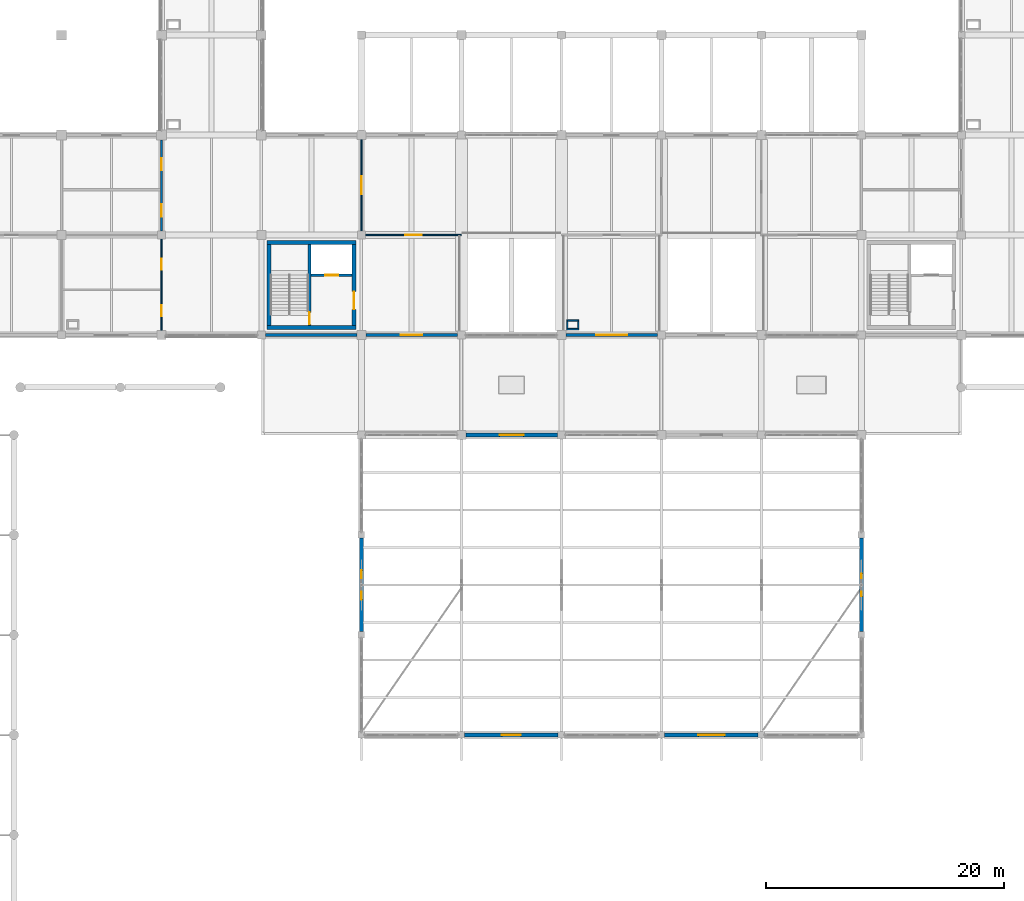
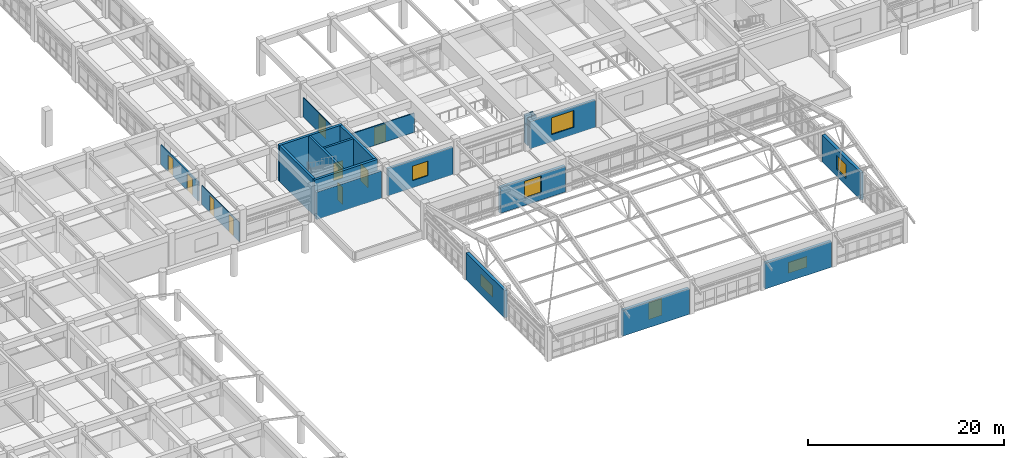
# One storey, part 83 of 99: 22 walls, 9 doors, 7 windows, 16 openings.
"""IFC4 building model written with IfcOpenShell, lengths in metres."""

from ifc_helpers import new_model, si_unit, direction, frame, frame_2d, origin, place, context, subcontext, project, spatial, rectangle, extrude, material, layer, layer_set, type_object, element, fill, save


model = new_model("IFC4")

# Units and contexts
model_context = context("Model", 3, precision=1e-05, world=origin(), true_north=direction((0.0, 1.0)))
body_context = subcontext(model_context, "Body", "Model", "MODEL_VIEW")
ifc_project = project(units=[si_unit("LENGTHUNIT", "METRE"), si_unit("AREAUNIT", "SQUARE_METRE"), si_unit("VOLUMEUNIT", "CUBIC_METRE"), si_unit("PLANEANGLEUNIT", "RADIAN"), si_unit("MASSUNIT", "GRAM", prefix="KILO")], contexts=[model_context])

# Site, building, storey
site_placement = place(None, origin())
site = spatial("IfcSite", under=ifc_project, at=site_placement, CompositionType="ELEMENT")
building_placement = place(site_placement, origin())
building = spatial("IfcBuilding", under=site, at=building_placement, Name="Porcellanite Civic Hall", CompositionType="ELEMENT")
storey_placement = place(building_placement, frame((0.0, 0.0, 5.760009765625)))
storey = spatial("IfcBuildingStorey", under=building, at=storey_placement, Name="L01", CompositionType="ELEMENT", Elevation=5.760009765625)

# Wall, opening, door
ifc_material_1 = material(Name="Concrete N40 (40 MPa)", Category="concrete")
ifc_layer_1 = layer(ifc_material_1, 0.239990234375)
ifc_layer_set_1 = layer_set([ifc_layer_1], Name="Concrete N40 (40 MPa)")
wall_type_1 = type_object("IfcWallType", Name="CW-SH240", PredefinedType="SHEAR", material=ifc_layer_set_1)
wall_1_placement = place(storey_placement, frame((62.840087890625, 51.179931640625, 0.0), z_axis=(0.0, 0.0, 1.0), x_axis=(0.0, 1.0, 0.0)))
wall_1 = element("IfcWall", 1, at=wall_1_placement, inside=storey, type_object=wall_type_1, Name="Core divider C5 L01", PredefinedType="SHEAR", context=body_context, shape_type="SweptSolid", body=[
    extrude(rectangle(XDim=6.840087890625, YDim=0.239990234375, at=frame_2d((3.419921875, 0.0))), origin(), (0.0, 0.0, 1.0), 4.5),
])
opening_1_placement = place(wall_1_placement, frame((0.1201171875, 0.0, 0.0)))
opening_1 = element("IfcOpeningElement", 2, at=opening_1_placement, cuts=wall_1, Name="Opening FD-C5-L01-ST", PredefinedType="OPENING", context=body_context, shape_type="SweptSolid", body=[
    extrude(rectangle(XDim=1.0, YDim=2.14990234375, at=frame_2d((0.5, 1.074951171875))), frame((0.0, 0.1201171875, 0.0), z_axis=(0.0, -1.0, 0.0), x_axis=(1.0, 0.0, 0.0)), (0.0, 0.0, 1.0), 0.239990234375),
])
ifc_material_2 = material(Name="Fire-rated solid-core hardwood timber", Category="wood")
door_type_1 = type_object("IfcDoorType", Name="DR-FD100", OperationType="NOTDEFINED", PredefinedType="DOOR", material=ifc_material_2)
door_1_placement = place(opening_1_placement, origin())
door_1 = element("IfcDoor", 3, at=door_1_placement, inside=storey, type_object=door_type_1, Name="Fire stair door FD-C5-L01-ST", OperationType="SINGLE_SWING_RIGHT", OverallHeight=2.14990234375, OverallWidth=1.0, PredefinedType="DOOR", context=body_context, shape_type="SweptSolid", body=[
    extrude(rectangle(XDim=1.0, YDim=2.14990234375, at=frame_2d((0.5, 1.074951171875))), frame((0.0, 0.02490234375, 0.0), z_axis=(0.0, -1.0, 0.0), x_axis=(1.0, 0.0, 0.0)), (0.0, 0.0, 1.0), 0.050048828125),
])
fill(opening_1, door_1)

wall_2_placement = place(storey_placement, frame((62.9599609375, 55.419921875, 0.0), z_axis=(0.0, 0.0, 1.0), x_axis=(1.0, 0.0, 0.0)))
wall_2 = element("IfcWall", 4, at=wall_2_placement, inside=storey, type_object=wall_type_1, Name="Lift shaft wall C5 L01", PredefinedType="SHEAR", context=body_context, shape_type="SweptSolid", body=[
    extrude(rectangle(XDim=3.4599609375, YDim=0.239990234375, at=frame_2d((1.72998046875, 0.0))), origin(), (0.0, 0.0, 1.0), 4.5),
])
opening_2_placement = place(wall_2_placement, frame((1.179931640625, 0.0, 0.0)))
opening_2 = element("IfcOpeningElement", 5, at=opening_2_placement, cuts=wall_2, Name="Opening LD-05", PredefinedType="OPENING", context=body_context, shape_type="SweptSolid", body=[
    extrude(rectangle(XDim=1.10009765625, YDim=2.14990234375, at=frame_2d((0.550048828125, 1.074951171875))), frame((0.0, 0.1201171875, 0.0), z_axis=(0.0, -1.0, 0.0), x_axis=(1.0, 0.0, 0.0)), (0.0, 0.0, 1.0), 0.239990234375),
])
ifc_material_3 = material(Name="Brushed stainless steel 316", Category="steel")
door_type_2 = type_object("IfcDoorType", Name="DR-LD110", OperationType="DOUBLE_DOOR_SLIDING", PredefinedType="DOOR", material=ifc_material_3)
door_2_placement = place(opening_2_placement, origin())
door_2 = element("IfcDoor", 6, at=door_2_placement, inside=storey, type_object=door_type_2, Name="Lift landing sliding door LD-05 L01", OperationType="DOUBLE_DOOR_SLIDING", OverallHeight=2.14990234375, OverallWidth=1.10009765625, PredefinedType="DOOR", context=body_context, shape_type="SweptSolid", body=[
    extrude(rectangle(XDim=1.10009765625, YDim=2.14990234375, at=frame_2d((0.550048828125, 1.074951171875))), frame((0.0, 0.02490234375, 0.0), z_axis=(0.0, -1.0, 0.0), x_axis=(1.0, 0.0, 0.0)), (0.0, 0.0, 1.0), 0.050048828125),
])
fill(opening_2, door_2)

# Walls
ifc_material_4 = material(Name="Concrete N40 (40 MPa)", Category="concrete")
ifc_layer_2 = layer(ifc_material_4, 0.300048828125)
ifc_layer_set_2 = layer_set([ifc_layer_2], Name="Concrete N40 (40 MPa)")
wall_type_2 = type_object("IfcWallType", Name="CW-SH300", PredefinedType="SHEAR", material=ifc_layer_set_2)
wall_3_placement = place(storey_placement, frame((66.719970703125, 51.030029296875, 0.0), z_axis=(0.0, 0.0, 1.0), x_axis=(-1.0, 0.0, 0.0)))
element("IfcWall", 7, at=wall_3_placement, inside=storey, type_object=wall_type_2, Name="Core wall C5 L01 S", PredefinedType="SHEAR", context=body_context, shape_type="SweptSolid", body=[
    extrude(rectangle(XDim=7.43994140625, YDim=0.300048828125, at=frame_2d((3.719970703125, 0.0))), origin(), (0.0, 0.0, 1.0), 4.5),
])
wall_4_placement = place(storey_placement, frame((59.429931640625, 51.179931640625, 0.0), z_axis=(0.0, 0.0, 1.0), x_axis=(0.0, 1.0, 0.0)))
element("IfcWall", 8, at=wall_4_placement, inside=storey, type_object=wall_type_2, Name="Core wall C5 L01 W", PredefinedType="SHEAR", context=body_context, shape_type="SweptSolid", body=[
    extrude(rectangle(XDim=6.840087890625, YDim=0.300048828125, at=frame_2d((3.419921875, 0.0))), origin(), (0.0, 0.0, 1.0), 4.5),
])
wall_5_placement = place(storey_placement, frame((59.280029296875, 58.169921875, 0.0), z_axis=(0.0, 0.0, 1.0), x_axis=(1.0, 0.0, 0.0)))
element("IfcWall", 9, at=wall_5_placement, inside=storey, type_object=wall_type_2, Name="Core wall C5 L01 N", PredefinedType="SHEAR", context=body_context, shape_type="SweptSolid", body=[
    extrude(rectangle(XDim=7.43994140625, YDim=0.300048828125, at=frame_2d((3.719970703125, 0.0))), origin(), (0.0, 0.0, 1.0), 4.5),
])

# Wall, opening, door
wall_6_placement = place(storey_placement, frame((66.570068359375, 58.02001953125, 0.0), z_axis=(0.0, 0.0, 1.0), x_axis=(0.0, -1.0, 0.0)))
wall_6 = element("IfcWall", 10, at=wall_6_placement, inside=storey, type_object=wall_type_2, Name="Core wall C5 L01 E", PredefinedType="SHEAR", context=body_context, shape_type="SweptSolid", body=[
    extrude(rectangle(XDim=6.840087890625, YDim=0.300048828125, at=frame_2d((3.419921875, 0.0))), origin(), (0.0, 0.0, 1.0), 4.5),
])
opening_3_placement = place(wall_6_placement, frame((3.969970703125, 0.0, 0.0)))
opening_3 = element("IfcOpeningElement", 11, at=opening_3_placement, cuts=wall_6, Name="Opening FD-C5-L01-LB", PredefinedType="OPENING", context=body_context, shape_type="SweptSolid", body=[
    extrude(rectangle(XDim=1.5, YDim=2.14990234375, at=frame_2d((0.75, 1.074951171875))), frame((0.0, 0.14990234375, 0.0), z_axis=(0.0, -1.0, 0.0), x_axis=(1.0, 0.0, 0.0)), (0.0, 0.0, 1.0), 0.300048828125),
])
ifc_material_5 = material(Name="Fire-rated steel and Georgian wired glass", Category="steel")
door_type_3 = type_object("IfcDoorType", Name="DR-FD150", OperationType="DOUBLE_DOOR_SINGLE_SWING", PredefinedType="DOOR", material=ifc_material_5)
door_3_placement = place(opening_3_placement, origin())
door_3 = element("IfcDoor", 12, at=door_3_placement, inside=storey, type_object=door_type_3, Name="Fire lobby double door FD-C5-L01-LB", OperationType="DOUBLE_DOOR_SINGLE_SWING", OverallHeight=2.14990234375, OverallWidth=1.5, PredefinedType="DOOR", context=body_context, shape_type="SweptSolid", body=[
    extrude(rectangle(XDim=1.5, YDim=2.14990234375, at=frame_2d((0.75, 1.074951171875))), frame((0.0, 0.02490234375, 0.0), z_axis=(0.0, -1.0, 0.0), x_axis=(1.0, 0.0, 0.0)), (0.0, 0.0, 1.0), 0.050048828125),
])
fill(opening_3, door_3)

# Wall
ifc_material_6 = material(Name="Precast concrete N40 (40 MPa)", Category="concrete")
ifc_layer_3 = layer(ifc_material_6, 0.280029296875)
ifc_layer_set_3 = layer_set([ifc_layer_3], Name="Precast concrete N40 (40 MPa)")
wall_type_3 = type_object("IfcWallType", Name="EW-CLO280", PredefinedType="SOLIDWALL", material=ifc_layer_set_3)
wall_7_placement = place(storey_placement, frame((66.823974609375, 50.39990234375, 0.0), z_axis=(0.0, 0.0, 1.0), x_axis=(-1.0, 0.0, 0.0)))
element("IfcWall", 13, at=wall_7_placement, inside=storey, type_object=wall_type_3, Name="Exterior wall L01 S 8-7", PredefinedType="SOLIDWALL", context=body_context, shape_type="SweptSolid", body=[
    extrude(rectangle(XDim=7.673095703125, YDim=0.280029296875, at=frame_2d((3.83642578125, 0.0))), origin(), (0.0, 0.0, 1.0), 3.39990234375),
])

# Wall, opening, window
wall_8_placement = place(storey_placement, frame((75.2490234375, 50.39990234375, 0.0), z_axis=(0.0, 0.0, 1.0), x_axis=(-1.0, 0.0, 0.0)))
wall_8 = element("IfcWall", 14, at=wall_8_placement, inside=storey, type_object=wall_type_3, Name="Exterior wall L01 S 9-7", PredefinedType="SOLIDWALL", context=body_context, shape_type="SweptSolid", body=[
    extrude(rectangle(XDim=7.673095703125, YDim=0.280029296875, at=frame_2d((3.83642578125, 0.0))), origin(), (0.0, 0.0, 1.0), 3.39990234375),
])
opening_4_placement = place(wall_8_placement, frame((2.93701171875, 0.0, 0.89990234375)))
opening_4 = element("IfcOpeningElement", 15, at=opening_4_placement, cuts=wall_8, Name="Opening W01", PredefinedType="OPENING", context=body_context, shape_type="SweptSolid", body=[
    extrude(rectangle(XDim=1.800048828125, YDim=1.800048828125, at=frame_2d((0.89990234375, 0.89990234375))), frame((0.0, 0.14013671875, 0.0), z_axis=(0.0, -1.0, 0.0), x_axis=(1.0, 0.0, 0.0)), (0.0, 0.0, 1.0), 0.280029296875),
])
ifc_material_7 = material(Name="Cyclone laminated low-E glazing in anodised aluminium frame", Category="aluminium")
window_type_1 = type_object("IfcWindowType", Name="WN-01", PartitioningType="DOUBLE_PANEL_VERTICAL", PredefinedType="WINDOW", material=ifc_material_7)
window_1_placement = place(opening_4_placement, origin())
window_1 = element("IfcWindow", 16, at=window_1_placement, inside=storey, type_object=window_type_1, Name="Window W01 L01 S 9-7", OverallHeight=1.800048828125, OverallWidth=1.800048828125, PartitioningType="SINGLE_PANEL", PredefinedType="WINDOW", context=body_context, shape_type="SweptSolid", body=[
    extrude(rectangle(XDim=1.800048828125, YDim=1.800048828125, at=frame_2d((0.89990234375, 0.89990234375))), frame((0.0, 0.030029296875, 0.0), z_axis=(0.0, -1.0, 0.0), x_axis=(1.0, 0.0, 0.0)), (0.0, 0.0, 1.0), 0.06005859375),
])
fill(opening_4, window_1)

wall_9_placement = place(storey_placement, frame((92.049072265625, 50.39990234375, 0.0), z_axis=(0.0, 0.0, 1.0), x_axis=(-1.0, 0.0, 0.0)))
wall_9 = element("IfcWall", 17, at=wall_9_placement, inside=storey, type_object=wall_type_3, Name="Exterior wall L01 S 11-7", PredefinedType="SOLIDWALL", context=body_context, shape_type="SweptSolid", body=[
    extrude(rectangle(XDim=7.673095703125, YDim=0.280029296875, at=frame_2d((3.83642578125, 0.0))), origin(), (0.0, 0.0, 1.0), 3.39990234375),
])
opening_5_placement = place(wall_9_placement, frame((2.537109375, 0.0, 0.89990234375)))
opening_5 = element("IfcOpeningElement", 18, at=opening_5_placement, cuts=wall_9, Name="Opening W07", PredefinedType="OPENING", context=body_context, shape_type="SweptSolid", body=[
    extrude(rectangle(XDim=2.60009765625, YDim=2.10009765625, at=frame_2d((1.300048828125, 1.050048828125))), frame((0.0, 0.14013671875, 0.0), z_axis=(0.0, -1.0, 0.0), x_axis=(1.0, 0.0, 0.0)), (0.0, 0.0, 1.0), 0.280029296875),
])
ifc_material_8 = material(Name="Cyclone laminated low-E glazing in anodised aluminium frame", Category="aluminium")
window_type_2 = type_object("IfcWindowType", Name="WN-07", PartitioningType="TRIPLE_PANEL_VERTICAL", PredefinedType="WINDOW", material=ifc_material_8)
window_2_placement = place(opening_5_placement, origin())
window_2 = element("IfcWindow", 19, at=window_2_placement, inside=storey, type_object=window_type_2, Name="Window W07 L01 S 11-7", OverallHeight=2.10009765625, OverallWidth=2.60009765625, PartitioningType="SINGLE_PANEL", PredefinedType="WINDOW", context=body_context, shape_type="SweptSolid", body=[
    extrude(rectangle(XDim=2.60009765625, YDim=2.10009765625, at=frame_2d((1.300048828125, 1.050048828125))), frame((0.0, 0.030029296875, 0.0), z_axis=(0.0, -1.0, 0.0), x_axis=(1.0, 0.0, 0.0)), (0.0, 0.0, 1.0), 0.06005859375),
])
fill(opening_5, window_2)

ifc_material_9 = material(Name="Precast concrete N40 (40 MPa)", Category="concrete")
ifc_layer_4 = layer(ifc_material_9, 0.340087890625)
ifc_layer_set_4 = layer_set([ifc_layer_4], Name="Precast concrete N40 (40 MPa)")
wall_type_4 = type_object("IfcWallType", Name="EW-HALL340", PredefinedType="SOLIDWALL", material=ifc_layer_set_4)
wall_10_placement = place(storey_placement, frame((67.199951171875, 25.47607421875, 0.0), z_axis=(0.0, 0.0, 1.0), x_axis=(0.0, 1.0, 0.0)))
wall_10 = element("IfcWall", 20, at=wall_10_placement, inside=storey, type_object=wall_type_4, Name="Exterior wall L01 W 9-4", PredefinedType="SOLIDWALL", context=body_context, shape_type="SweptSolid", body=[
    extrude(rectangle(XDim=7.847900390625, YDim=0.340087890625, at=frame_2d((3.923828125, 0.0))), origin(), (0.0, 0.0, 1.0), 3.39990234375),
])
opening_6_placement = place(wall_10_placement, frame((2.698974609375, 0.0, 0.89990234375)))
opening_6 = element("IfcOpeningElement", 21, at=opening_6_placement, cuts=wall_10, Name="Opening W40", PredefinedType="OPENING", context=body_context, shape_type="SweptSolid", body=[
    extrude(rectangle(XDim=2.449951171875, YDim=1.449951171875, at=frame_2d((1.22509765625, 0.72509765625))), frame((0.0, 0.169921875, 0.0), z_axis=(0.0, -1.0, 0.0), x_axis=(1.0, 0.0, 0.0)), (0.0, 0.0, 1.0), 0.340087890625),
])
ifc_material_10 = material(Name="Cyclone laminated low-E glazing in anodised aluminium frame", Category="aluminium")
window_type_3 = type_object("IfcWindowType", Name="WN-40", PartitioningType="DOUBLE_PANEL_VERTICAL", PredefinedType="WINDOW", material=ifc_material_10)
window_3_placement = place(opening_6_placement, origin())
window_3 = element("IfcWindow", 22, at=window_3_placement, inside=storey, type_object=window_type_3, Name="Window W40 L01 W 9-4", OverallHeight=1.449951171875, OverallWidth=2.449951171875, PartitioningType="SINGLE_PANEL", PredefinedType="WINDOW", context=body_context, shape_type="SweptSolid", body=[
    extrude(rectangle(XDim=2.449951171875, YDim=1.449951171875, at=frame_2d((1.22509765625, 0.72509765625))), frame((0.0, 0.030029296875, 0.0), z_axis=(0.0, -1.0, 0.0), x_axis=(1.0, 0.0, 0.0)), (0.0, 0.0, 1.0), 0.06005859375),
])
fill(opening_6, window_3)

wall_11_placement = place(storey_placement, frame((83.72412109375, 16.800048828125, 0.0), z_axis=(0.0, 0.0, 1.0), x_axis=(-1.0, 0.0, 0.0)))
wall_11 = element("IfcWall", 23, at=wall_11_placement, inside=storey, type_object=wall_type_4, Name="Exterior wall L01 S 10-3", PredefinedType="SOLIDWALL", context=body_context, shape_type="SweptSolid", body=[
    extrude(rectangle(XDim=7.84814453125, YDim=0.340087890625, at=frame_2d((3.924072265625, 0.0))), origin(), (0.0, 0.0, 1.0), 3.22998046875),
])
opening_7_placement = place(wall_11_placement, frame((3.1240234375, 0.0, 0.89990234375)))
opening_7 = element("IfcOpeningElement", 24, at=opening_7_placement, cuts=wall_11, Name="Opening W05", PredefinedType="OPENING", context=body_context, shape_type="SweptSolid", body=[
    extrude(rectangle(XDim=1.60009765625, YDim=2.10009765625, at=frame_2d((0.800048828125, 1.050048828125))), frame((0.0, 0.169921875, 0.0), z_axis=(0.0, -1.0, 0.0), x_axis=(1.0, 0.0, 0.0)), (0.0, 0.0, 1.0), 0.340087890625),
])
ifc_material_11 = material(Name="Cyclone laminated low-E glazing in anodised aluminium frame", Category="aluminium")
window_type_4 = type_object("IfcWindowType", Name="WN-05", PartitioningType="DOUBLE_PANEL_VERTICAL", PredefinedType="WINDOW", material=ifc_material_11)
window_4_placement = place(opening_7_placement, origin())
window_4 = element("IfcWindow", 25, at=window_4_placement, inside=storey, type_object=window_type_4, Name="Window W05 L01 S 10-3", OverallHeight=2.10009765625, OverallWidth=1.60009765625, PartitioningType="SINGLE_PANEL", PredefinedType="WINDOW", context=body_context, shape_type="SweptSolid", body=[
    extrude(rectangle(XDim=1.60009765625, YDim=2.10009765625, at=frame_2d((0.800048828125, 1.050048828125))), frame((0.0, 0.030029296875, 0.0), z_axis=(0.0, -1.0, 0.0), x_axis=(1.0, 0.0, 0.0)), (0.0, 0.0, 1.0), 0.06005859375),
])
fill(opening_7, window_4)

wall_12_placement = place(storey_placement, frame((75.97607421875, 42.0, 0.0), z_axis=(0.0, 0.0, 1.0), x_axis=(1.0, 0.0, 0.0)))
wall_12 = element("IfcWall", 26, at=wall_12_placement, inside=storey, type_object=wall_type_4, Name="Exterior wall L01 N 10-5", PredefinedType="SOLIDWALL", context=body_context, shape_type="SweptSolid", body=[
    extrude(rectangle(XDim=7.6728515625, YDim=0.340087890625, at=frame_2d((3.83642578125, 0.0))), origin(), (0.0, 0.0, 1.0), 3.22998046875),
])
opening_8_placement = place(wall_12_placement, frame((2.8369140625, 0.0, 0.89990234375)))
opening_8 = element("IfcOpeningElement", 27, at=opening_8_placement, cuts=wall_12, Name="Opening W06", PredefinedType="OPENING", context=body_context, shape_type="SweptSolid", body=[
    extrude(rectangle(XDim=2.0, YDim=2.10009765625, at=frame_2d((1.0, 1.050048828125))), frame((0.0, 0.169921875, 0.0), z_axis=(0.0, -1.0, 0.0), x_axis=(1.0, 0.0, 0.0)), (0.0, 0.0, 1.0), 0.340087890625),
])
ifc_material_12 = material(Name="Cyclone laminated low-E glazing in anodised aluminium frame", Category="aluminium")
window_type_5 = type_object("IfcWindowType", Name="WN-06", PartitioningType="DOUBLE_PANEL_VERTICAL", PredefinedType="WINDOW", material=ifc_material_12)
window_5_placement = place(opening_8_placement, origin())
window_5 = element("IfcWindow", 28, at=window_5_placement, inside=storey, type_object=window_type_5, Name="Window W06 L01 N 10-5", OverallHeight=2.10009765625, OverallWidth=2.0, PartitioningType="SINGLE_PANEL", PredefinedType="WINDOW", context=body_context, shape_type="SweptSolid", body=[
    extrude(rectangle(XDim=2.0, YDim=2.10009765625, at=frame_2d((1.0, 1.050048828125))), frame((0.0, 0.030029296875, 0.0), z_axis=(0.0, -1.0, 0.0), x_axis=(1.0, 0.0, 0.0)), (0.0, 0.0, 1.0), 0.06005859375),
])
fill(opening_8, window_5)

wall_13_placement = place(storey_placement, frame((100.52392578125, 16.800048828125, 0.0), z_axis=(0.0, 0.0, 1.0), x_axis=(-1.0, 0.0, 0.0)))
wall_13 = element("IfcWall", 29, at=wall_13_placement, inside=storey, type_object=wall_type_4, Name="Exterior wall L01 S 12-3", PredefinedType="SOLIDWALL", context=body_context, shape_type="SweptSolid", body=[
    extrude(rectangle(XDim=7.847900390625, YDim=0.340087890625, at=frame_2d((3.923828125, 0.0))), origin(), (0.0, 0.0, 1.0), 3.22998046875),
])
opening_9_placement = place(wall_13_placement, frame((2.823974609375, 0.0, 0.89990234375)))
opening_9 = element("IfcOpeningElement", 30, at=opening_9_placement, cuts=wall_13, Name="Opening W11", PredefinedType="OPENING", context=body_context, shape_type="SweptSolid", body=[
    extrude(rectangle(XDim=2.199951171875, YDim=1.35009765625, at=frame_2d((1.10009765625, 0.675048828125))), frame((0.0, 0.169921875, 0.0), z_axis=(0.0, -1.0, 0.0), x_axis=(1.0, 0.0, 0.0)), (0.0, 0.0, 1.0), 0.340087890625),
])
ifc_material_13 = material(Name="Cyclone laminated low-E glazing in anodised aluminium frame", Category="aluminium")
window_type_6 = type_object("IfcWindowType", Name="WN-11", PartitioningType="DOUBLE_PANEL_HORIZONTAL", PredefinedType="WINDOW", material=ifc_material_13)
window_6_placement = place(opening_9_placement, origin())
window_6 = element("IfcWindow", 31, at=window_6_placement, inside=storey, type_object=window_type_6, Name="Window W11 L01 S 12-3", OverallHeight=1.35009765625, OverallWidth=2.199951171875, PartitioningType="SINGLE_PANEL", PredefinedType="WINDOW", context=body_context, shape_type="SweptSolid", body=[
    extrude(rectangle(XDim=2.199951171875, YDim=1.35009765625, at=frame_2d((1.10009765625, 0.675048828125))), frame((0.0, 0.030029296875, 0.0), z_axis=(0.0, -1.0, 0.0), x_axis=(1.0, 0.0, 0.0)), (0.0, 0.0, 1.0), 0.06005859375),
])
fill(opening_9, window_6)

wall_14_placement = place(storey_placement, frame((109.199951171875, 33.323974609375, 0.0), z_axis=(0.0, 0.0, 1.0), x_axis=(0.0, -1.0, 0.0)))
wall_14 = element("IfcWall", 32, at=wall_14_placement, inside=storey, type_object=wall_type_4, Name="Exterior wall L01 E 13-4", PredefinedType="SOLIDWALL", context=body_context, shape_type="SweptSolid", body=[
    extrude(rectangle(XDim=7.847900390625, YDim=0.340087890625, at=frame_2d((3.923828125, 0.0))), origin(), (0.0, 0.0, 1.0), 3.39990234375),
])
opening_10_placement = place(wall_14_placement, frame((2.97412109375, 0.0, 0.89990234375)))
opening_10 = element("IfcOpeningElement", 33, at=opening_10_placement, cuts=wall_14, Name="Opening W15", PredefinedType="OPENING", context=body_context, shape_type="SweptSolid", body=[
    extrude(rectangle(XDim=1.89990234375, YDim=1.75, at=frame_2d((0.949951171875, 0.875))), frame((0.0, 0.169921875, 0.0), z_axis=(0.0, -1.0, 0.0), x_axis=(1.0, 0.0, 0.0)), (0.0, 0.0, 1.0), 0.340087890625),
])
ifc_material_14 = material(Name="Cyclone laminated low-E glazing in anodised aluminium frame", Category="aluminium")
window_type_7 = type_object("IfcWindowType", Name="WN-15", PartitioningType="DOUBLE_PANEL_VERTICAL", PredefinedType="WINDOW", material=ifc_material_14)
window_7_placement = place(opening_10_placement, origin())
window_7 = element("IfcWindow", 34, at=window_7_placement, inside=storey, type_object=window_type_7, Name="Window W15 L01 E 13-4", OverallHeight=1.75, OverallWidth=1.89990234375, PartitioningType="SINGLE_PANEL", PredefinedType="WINDOW", context=body_context, shape_type="SweptSolid", body=[
    extrude(rectangle(XDim=1.89990234375, YDim=1.75, at=frame_2d((0.949951171875, 0.875))), frame((0.0, 0.030029296875, 0.0), z_axis=(0.0, -1.0, 0.0), x_axis=(1.0, 0.0, 0.0)), (0.0, 0.0, 1.0), 0.06005859375),
])
fill(opening_10, window_7)

# Walls
ifc_material_15 = material(Name="Fire-rated shaftwall plasterboard on steel studs", Category="steel")
ifc_layer_5 = layer(ifc_material_15, 0.117919921875)
ifc_layer_set_5 = layer_set([ifc_layer_5], Name="Fire-rated shaftwall plasterboard on steel studs")
wall_type_5 = type_object("IfcWallType", Name="IW-FR118", PredefinedType="PARTITIONING", material=ifc_layer_set_5)
for number, where, z_axis, x_axis, name in (
    (35, (84.431884765625, 50.89111328125, 0.0), (0.0, 0.0, 1.0), (1.0, 0.0, 0.0), "Fire riser shaftwall S L01 10-6"),
    (36, (84.431884765625, 51.60888671875, 0.0), (0.0, 0.0, 1.0), (1.0, 0.0, 0.0), "Fire riser shaftwall N L01 10-6"),
):
    element("IfcWall", number, at=place(storey_placement, frame(where, z_axis=z_axis, x_axis=x_axis)), inside=storey, type_object=wall_type_5, Name=name, PredefinedType="PARTITIONING", context=body_context, shape_type="SweptSolid", body=[
        extrude(rectangle(XDim=1.0361328125, YDim=0.117919921875, at=frame_2d((0.51806640625, 0.0))), origin(), (0.0, 0.0, 1.0), 3.47998046875),
    ])
wall_15_placement = place(storey_placement, frame((84.490966796875, 50.949951171875, 0.0), z_axis=(0.0, 0.0, 1.0), x_axis=(0.0, 1.0, 0.0)))
element("IfcWall", 37, at=wall_15_placement, inside=storey, type_object=wall_type_5, Name="Fire riser shaftwall W L01 10-6", PredefinedType="PARTITIONING", context=body_context, shape_type="SweptSolid", body=[
    extrude(rectangle(XDim=0.60009765625, YDim=0.117919921875, at=frame_2d((0.300048828125, 0.0))), origin(), (0.0, 0.0, 1.0), 2.39990234375),
])
wall_16_placement = place(storey_placement, frame((85.408935546875, 50.949951171875, 0.0), z_axis=(0.0, 0.0, 1.0), x_axis=(0.0, 1.0, 0.0)))
element("IfcWall", 38, at=wall_16_placement, inside=storey, type_object=wall_type_5, Name="Fire riser shaftwall E L01 10-6", PredefinedType="PARTITIONING", context=body_context, shape_type="SweptSolid", body=[
    extrude(rectangle(XDim=0.60009765625, YDim=0.117919921875, at=frame_2d((0.300048828125, 0.0))), origin(), (0.0, 0.0, 1.0), 3.47998046875),
])

# Wall, openings, doors
ifc_material_16 = material(Name="Insulated acoustic plasterboard on light-gauge steel studs", Category="steel")
ifc_layer_6 = layer(ifc_material_16, 0.087890625)
ifc_layer_set_6 = layer_set([ifc_layer_6], Name="Insulated acoustic plasterboard on light-gauge steel studs")
wall_type_6 = type_object("IfcWallType", Name="IW-PT088", PredefinedType="PARTITIONING", material=ifc_layer_set_6)
wall_17_placement = place(storey_placement, frame((50.39990234375, 50.777099609375, 0.0), z_axis=(0.0, 0.0, 1.0), x_axis=(0.0, 1.0, 0.0)))
wall_17 = element("IfcWall", 39, at=wall_17_placement, inside=storey, type_object=wall_type_6, Name="Partition L01 V 6-7", PredefinedType="PARTITIONING", context=body_context, shape_type="SweptSolid", body=[
    extrude(rectangle(XDim=7.6708984375, YDim=0.087890625, at=frame_2d((3.83544921875, 0.0))), origin(), (0.0, 0.0, 1.0), 2.39990234375),
])
opening_11_placement = place(wall_17_placement, frame((1.193115234375, 0.0, 0.0)))
opening_11 = element("IfcOpeningElement", 40, at=opening_11_placement, cuts=wall_17, Name="Opening D-L01-176", PredefinedType="OPENING", context=body_context, shape_type="SweptSolid", body=[
    extrude(rectangle(XDim=0.93994140625, YDim=2.14990234375, at=frame_2d((0.469970703125, 1.074951171875))), frame((0.0, 0.0439453125, 0.0), z_axis=(0.0, -1.0, 0.0), x_axis=(1.0, 0.0, 0.0)), (0.0, 0.0, 1.0), 0.087890625),
])
opening_12_placement = place(wall_17_placement, frame((5.123046875, 0.0, 0.0)))
opening_12 = element("IfcOpeningElement", 41, at=opening_12_placement, cuts=wall_17, Name="Opening D-L01-177", PredefinedType="OPENING", context=body_context, shape_type="SweptSolid", body=[
    extrude(rectangle(XDim=0.919921875, YDim=2.14990234375, at=frame_2d((0.4599609375, 1.074951171875))), frame((0.0, 0.0439453125, 0.0), z_axis=(0.0, -1.0, 0.0), x_axis=(1.0, 0.0, 0.0)), (0.0, 0.0, 1.0), 0.087890625),
])
ifc_material_17 = material(Name="Solid-core spotted-gum timber", Category="wood")
door_type_4 = type_object("IfcDoorType", Name="DR-RM092", OperationType="NOTDEFINED", PredefinedType="DOOR", material=ifc_material_17)
door_4_placement = place(opening_12_placement, origin())
door_4 = element("IfcDoor", 42, at=door_4_placement, inside=storey, type_object=door_type_4, Name="Interior door D-L01-177", OperationType="SINGLE_SWING_LEFT", OverallHeight=2.14990234375, OverallWidth=0.919921875, PredefinedType="DOOR", context=body_context, shape_type="SweptSolid", body=[
    extrude(rectangle(XDim=0.919921875, YDim=2.14990234375, at=frame_2d((0.4599609375, 1.074951171875))), frame((0.0, 0.02490234375, 0.0), z_axis=(0.0, -1.0, 0.0), x_axis=(1.0, 0.0, 0.0)), (0.0, 0.0, 1.0), 0.050048828125),
])
fill(opening_12, door_4)
ifc_material_18 = material(Name="Solid-core spotted-gum timber", Category="wood")
door_type_5 = type_object("IfcDoorType", Name="DR-RM094", OperationType="NOTDEFINED", PredefinedType="DOOR", material=ifc_material_18)
door_5_placement = place(opening_11_placement, origin())
door_5 = element("IfcDoor", 43, at=door_5_placement, inside=storey, type_object=door_type_5, Name="Interior door D-L01-176", OperationType="SINGLE_SWING_RIGHT", OverallHeight=2.14990234375, OverallWidth=0.93994140625, PredefinedType="DOOR", context=body_context, shape_type="SweptSolid", body=[
    extrude(rectangle(XDim=0.93994140625, YDim=2.14990234375, at=frame_2d((0.469970703125, 1.074951171875))), frame((0.0, 0.02490234375, 0.0), z_axis=(0.0, -1.0, 0.0), x_axis=(1.0, 0.0, 0.0)), (0.0, 0.0, 1.0), 0.050048828125),
])
fill(opening_11, door_5)

# Wall, opening, door
ifc_material_19 = material(Name="Insulated acoustic plasterboard on light-gauge steel studs", Category="steel")
ifc_layer_7 = layer(ifc_material_19, 0.094970703125)
ifc_layer_set_7 = layer_set([ifc_layer_7], Name="Insulated acoustic plasterboard on light-gauge steel studs")
wall_type_7 = type_object("IfcWallType", Name="IW-PT095", PredefinedType="PARTITIONING", material=ifc_layer_set_7)
wall_18_placement = place(storey_placement, frame((67.199951171875, 59.152099609375, 0.0), z_axis=(0.0, 0.0, 1.0), x_axis=(0.0, 1.0, 0.0)))
wall_18 = element("IfcWall", 44, at=wall_18_placement, inside=storey, type_object=wall_type_7, Name="Partition L01 V 8-8", PredefinedType="PARTITIONING", context=body_context, shape_type="SweptSolid", body=[
    extrude(rectangle(XDim=7.6708984375, YDim=0.094970703125, at=frame_2d((3.83544921875, 0.0))), origin(), (0.0, 0.0, 1.0), 2.39990234375),
])
opening_13_placement = place(wall_18_placement, frame((3.0859375, 0.0, 0.0)))
opening_13 = element("IfcOpeningElement", 45, at=opening_13_placement, cuts=wall_18, Name="Opening D-L01-213", PredefinedType="OPENING", context=body_context, shape_type="SweptSolid", body=[
    extrude(rectangle(XDim=1.5, YDim=2.219970703125, at=frame_2d((0.75, 1.10986328125))), frame((0.0, 0.04736328125, 0.0), z_axis=(0.0, -1.0, 0.0), x_axis=(1.0, 0.0, 0.0)), (0.0, 0.0, 1.0), 0.094970703125),
])
ifc_material_20 = material(Name="Acoustic spotted-gum timber and safety glass", Category="wood")
door_type_6 = type_object("IfcDoorType", Name="DR-AS150", OperationType="DOUBLE_DOOR_SINGLE_SWING", PredefinedType="DOOR", material=ifc_material_20)
door_6_placement = place(opening_13_placement, origin())
door_6 = element("IfcDoor", 46, at=door_6_placement, inside=storey, type_object=door_type_6, Name="Interior door D-L01-213", OperationType="DOUBLE_DOOR_SINGLE_SWING", OverallHeight=2.219970703125, OverallWidth=1.5, PredefinedType="DOOR", context=body_context, shape_type="SweptSolid", body=[
    extrude(rectangle(XDim=1.5, YDim=2.219970703125, at=frame_2d((0.75, 1.10986328125))), frame((0.0, 0.02490234375, 0.0), z_axis=(0.0, -1.0, 0.0), x_axis=(1.0, 0.0, 0.0)), (0.0, 0.0, 1.0), 0.050048828125),
])
fill(opening_13, door_6)

ifc_material_21 = material(Name="Insulated acoustic plasterboard on light-gauge steel studs", Category="steel")
ifc_layer_8 = layer(ifc_material_21, 0.114990234375)
ifc_layer_set_8 = layer_set([ifc_layer_8], Name="Insulated acoustic plasterboard on light-gauge steel studs")
wall_type_8 = type_object("IfcWallType", Name="IW-PT115", PredefinedType="PARTITIONING", material=ifc_layer_set_8)
wall_19_placement = place(storey_placement, frame((67.552001953125, 58.800048828125, 0.0), z_axis=(0.0, 0.0, 1.0), x_axis=(1.0, 0.0, 0.0)))
wall_19 = element("IfcWall", 47, at=wall_19_placement, inside=storey, type_object=wall_type_8, Name="Partition L01 H 9-7", PredefinedType="PARTITIONING", context=body_context, shape_type="SweptSolid", body=[
    extrude(rectangle(XDim=8.048095703125, YDim=0.114990234375, at=frame_2d((4.02392578125, 0.0))), origin(), (0.0, 0.0, 1.0), 2.39990234375),
])
opening_14_placement = place(wall_19_placement, frame((3.323974609375, 0.0, 0.0)))
opening_14 = element("IfcOpeningElement", 48, at=opening_14_placement, cuts=wall_19, Name="Opening D-L01-194", PredefinedType="OPENING", context=body_context, shape_type="SweptSolid", body=[
    extrude(rectangle(XDim=1.39990234375, YDim=2.219970703125, at=frame_2d((0.699951171875, 1.10986328125))), frame((0.0, 0.0576171875, 0.0), z_axis=(0.0, -1.0, 0.0), x_axis=(1.0, 0.0, 0.0)), (0.0, 0.0, 1.0), 0.114990234375),
])
ifc_material_22 = material(Name="Acoustic spotted-gum timber and safety glass", Category="wood")
door_type_7 = type_object("IfcDoorType", Name="DR-AS140", OperationType="DOUBLE_DOOR_SINGLE_SWING", PredefinedType="DOOR", material=ifc_material_22)
door_7_placement = place(opening_14_placement, origin())
door_7 = element("IfcDoor", 49, at=door_7_placement, inside=storey, type_object=door_type_7, Name="Interior door D-L01-194", OperationType="DOUBLE_DOOR_SINGLE_SWING", OverallHeight=2.219970703125, OverallWidth=1.39990234375, PredefinedType="DOOR", context=body_context, shape_type="SweptSolid", body=[
    extrude(rectangle(XDim=1.39990234375, YDim=2.219970703125, at=frame_2d((0.699951171875, 1.10986328125))), frame((0.0, 0.02490234375, 0.0), z_axis=(0.0, -1.0, 0.0), x_axis=(1.0, 0.0, 0.0)), (0.0, 0.0, 1.0), 0.050048828125),
])
fill(opening_14, door_7)

# Wall, openings, doors
ifc_material_23 = material(Name="Insulated acoustic plasterboard on light-gauge steel studs", Category="steel")
ifc_layer_9 = layer(ifc_material_23, 0.155029296875)
ifc_layer_set_9 = layer_set([ifc_layer_9], Name="Insulated acoustic plasterboard on light-gauge steel studs")
wall_type_9 = type_object("IfcWallType", Name="IW-PT155", PredefinedType="PARTITIONING", material=ifc_layer_set_9)
wall_20_placement = place(storey_placement, frame((50.39990234375, 59.152099609375, 0.0), z_axis=(0.0, 0.0, 1.0), x_axis=(0.0, 1.0, 0.0)))
wall_20 = element("IfcWall", 50, at=wall_20_placement, inside=storey, type_object=wall_type_9, Name="Partition L01 V 6-8", PredefinedType="PARTITIONING", context=body_context, shape_type="SweptSolid", body=[
    extrude(rectangle(XDim=7.64599609375, YDim=0.155029296875, at=frame_2d((3.822998046875, 0.0))), origin(), (0.0, 0.0, 1.0), 2.39990234375),
])
opening_15_placement = place(wall_20_placement, frame((1.1630859375, 0.0, 0.0)))
opening_15 = element("IfcOpeningElement", 51, at=opening_15_placement, cuts=wall_20, Name="Opening D-L01-178", PredefinedType="OPENING", context=body_context, shape_type="SweptSolid", body=[
    extrude(rectangle(XDim=1.050048828125, YDim=2.1201171875, at=frame_2d((0.52490234375, 1.06005859375))), frame((0.0, 0.07763671875, 0.0), z_axis=(0.0, -1.0, 0.0), x_axis=(1.0, 0.0, 0.0)), (0.0, 0.0, 1.0), 0.155029296875),
])
opening_16_placement = place(wall_20_placement, frame((5.10302734375, 0.0, 0.0)))
opening_16 = element("IfcOpeningElement", 52, at=opening_16_placement, cuts=wall_20, Name="Opening D-L01-179", PredefinedType="OPENING", context=body_context, shape_type="SweptSolid", body=[
    extrude(rectangle(XDim=1.010009765625, YDim=2.1201171875, at=frame_2d((0.5048828125, 1.06005859375))), frame((0.0, 0.07763671875, 0.0), z_axis=(0.0, -1.0, 0.0), x_axis=(1.0, 0.0, 0.0)), (0.0, 0.0, 1.0), 0.155029296875),
])
ifc_material_24 = material(Name="Solid-core spotted-gum timber", Category="wood")
door_type_8 = type_object("IfcDoorType", Name="DR-RM101", OperationType="NOTDEFINED", PredefinedType="DOOR", material=ifc_material_24)
door_8_placement = place(opening_16_placement, origin())
door_8 = element("IfcDoor", 53, at=door_8_placement, inside=storey, type_object=door_type_8, Name="Interior door D-L01-179", OperationType="SINGLE_SWING_LEFT", OverallHeight=2.1201171875, OverallWidth=1.010009765625, PredefinedType="DOOR", context=body_context, shape_type="SweptSolid", body=[
    extrude(rectangle(XDim=1.010009765625, YDim=2.1201171875, at=frame_2d((0.5048828125, 1.06005859375))), frame((0.0, 0.02490234375, 0.0), z_axis=(0.0, -1.0, 0.0), x_axis=(1.0, 0.0, 0.0)), (0.0, 0.0, 1.0), 0.050048828125),
])
fill(opening_16, door_8)
ifc_material_25 = material(Name="Solid-core spotted-gum timber", Category="wood")
door_type_9 = type_object("IfcDoorType", Name="DR-RM105", OperationType="NOTDEFINED", PredefinedType="DOOR", material=ifc_material_25)
door_9_placement = place(opening_15_placement, origin())
door_9 = element("IfcDoor", 54, at=door_9_placement, inside=storey, type_object=door_type_9, Name="Interior door D-L01-178", OperationType="SINGLE_SWING_RIGHT", OverallHeight=2.1201171875, OverallWidth=1.050048828125, PredefinedType="DOOR", context=body_context, shape_type="SweptSolid", body=[
    extrude(rectangle(XDim=1.050048828125, YDim=2.1201171875, at=frame_2d((0.52490234375, 1.06005859375))), frame((0.0, 0.02490234375, 0.0), z_axis=(0.0, -1.0, 0.0), x_axis=(1.0, 0.0, 0.0)), (0.0, 0.0, 1.0), 0.050048828125),
])
fill(opening_15, door_9)

save(model, "model.ifc")
